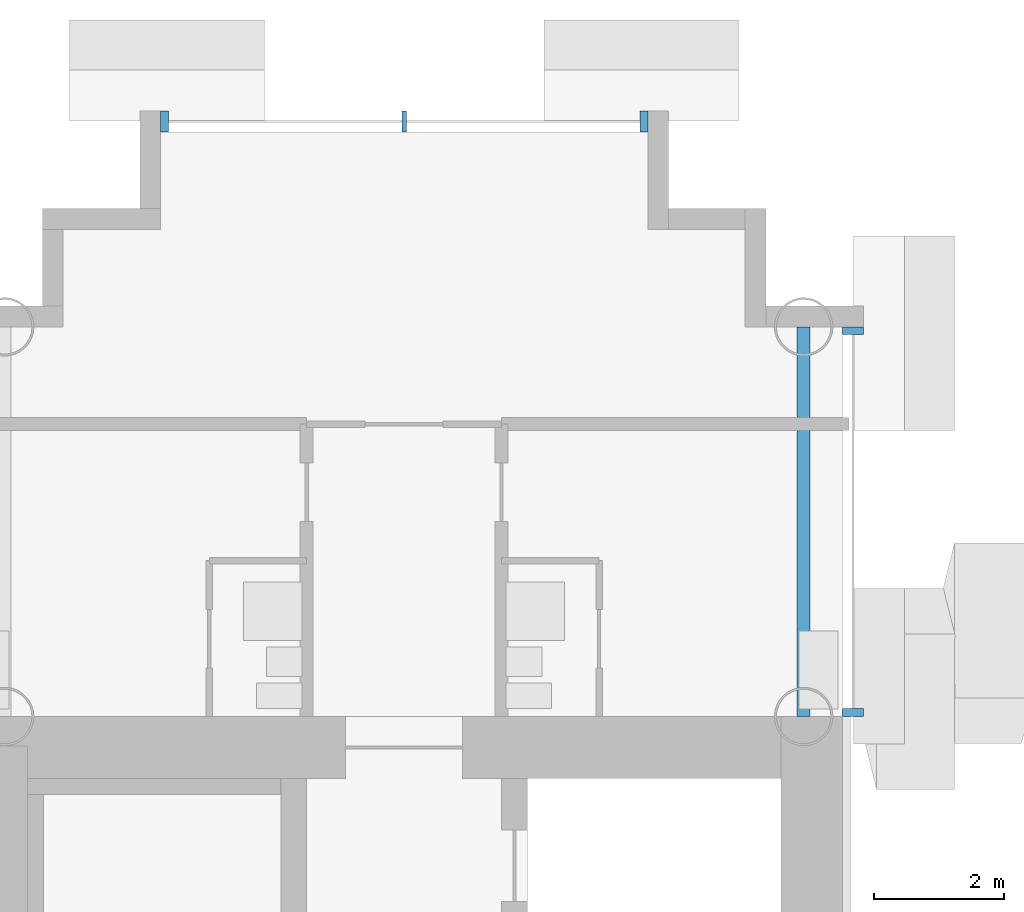
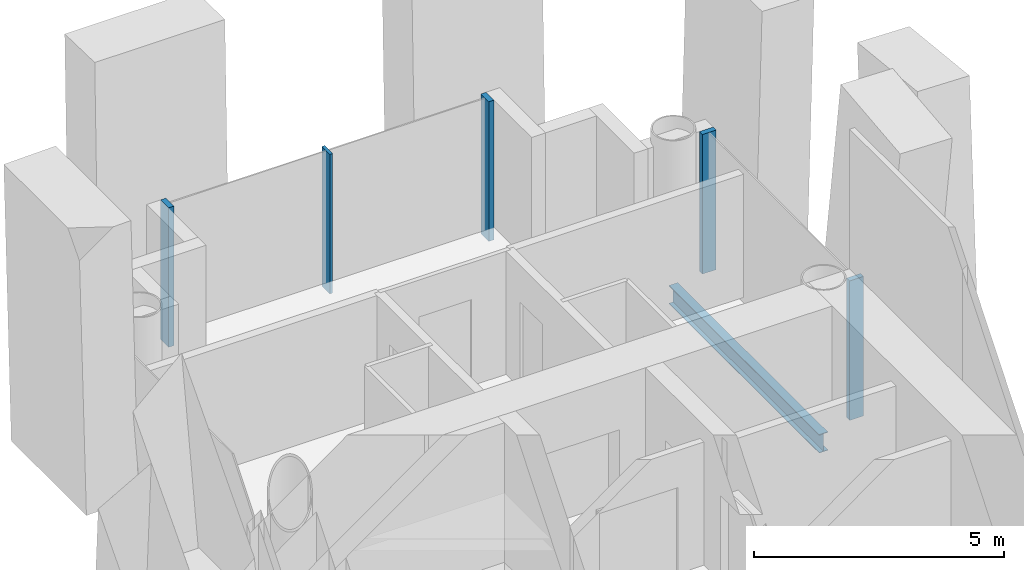
# One storey, part 6 of 20: 5 members, 1 beam, 2 elements without a shape of their own.
"""IFC4 building model written with IfcOpenShell, lengths in metres."""

from ifc_helpers import new_model, si_unit, direction, frame, origin, origin_2d, place, context, subcontext, project, spatial, rectangle, i_section, extrude, material, layer, layer_set, material_profile, profile_set, type_object, element, aggregate, save


model = new_model("IFC4")

# Units and contexts
model_context = context("Model", 3, precision=1e-05, world=origin(), true_north=direction((0.0, 1.0)))
body_context = subcontext(model_context, "Body", "Model", "MODEL_VIEW")
ifc_project = project(units=[si_unit("LENGTHUNIT", "METRE"), si_unit("AREAUNIT", "SQUARE_METRE"), si_unit("VOLUMEUNIT", "CUBIC_METRE"), si_unit("PLANEANGLEUNIT", "RADIAN"), si_unit("MASSUNIT", "GRAM", prefix="KILO")], contexts=[model_context])

# Site, building, storey
site_placement = place(None, origin())
site = spatial("IfcSite", under=ifc_project, at=site_placement, CompositionType="ELEMENT")
building_placement = place(site_placement, origin())
building = spatial("IfcBuilding", under=site, at=building_placement, Name="Ipe Terrace Towers", CompositionType="ELEMENT")
storey_placement = place(building_placement, frame((0.0, 0.0, 100.39990234375)))
storey = spatial("IfcBuildingStorey", under=building, at=storey_placement, Name="L27", CompositionType="ELEMENT", Elevation=100.39990234375)

# Beam
ifc_material_1 = material(Name="Steel S355", Category="steel")
ifc_material_profile_1 = material_profile(ifc_material_1, i_section(OverallWidth=0.199951171875, OverallDepth=0.449951171875, WebThickness=0.009033203125, FlangeThickness=0.013916015625, at=origin_2d()), Name="H-450x200x9x14")
ifc_profile_set_1 = profile_set([ifc_material_profile_1], Name="Steel S355")
beam_type = type_object("IfcBeamType", Name="H08 EDGE BEAM H-450x200x9x14", PredefinedType="BEAM", material=ifc_profile_set_1)
beam_placement = place(storey_placement, frame((42.14990234375, 15.75, -0.625), z_axis=(0.0, 1.0, 0.0), x_axis=(-1.0, 0.0, 0.0)))
element("IfcBeam", 1, at=beam_placement, inside=storey, type_object=beam_type, Name="Edge beam T2-EB-A01-A03", PredefinedType="BEAM", context=body_context, shape_type="SweptSolid", body=[
    extrude(i_section(OverallWidth=0.199951171875, OverallDepth=0.449951171875, WebThickness=0.009033203125, FlangeThickness=0.013916015625, at=origin_2d()), origin(), (0.0, 0.0, 1.0), 6.0),
])

# Curtain wall, members
ifc_material_2 = material(Name="Aluminium alloy 6063-T6", Category="aluminium")
ifc_layer = layer(ifc_material_2, 0.320068359375)
ifc_layer_set = layer_set([ifc_layer], Name="TOWER UNITISED CURTAIN WALL")
curtain_wall_type = type_object("IfcCurtainWallType", Name="TOWER UNITISED CURTAIN WALL", PredefinedType="NOTDEFINED", material=ifc_layer_set)
curtain_wall_1_placement = place(storey_placement, origin())
curtain_wall_1 = element("IfcCurtainWall", 2, at=curtain_wall_1_placement, inside=storey, type_object=curtain_wall_type, Name="T2-CW-L27-16b curtain wall", PredefinedType="NOTDEFINED")
ifc_material_3 = material(Name="Aluminium alloy 6063-T6", Category="aluminium")
ifc_material_profile_2 = material_profile(ifc_material_3, rectangle(XDim=0.320068359375, YDim=0.1201171875, at=origin_2d()), Name="TOWER UNITISED CORNER MULLION 320 x 120")
ifc_profile_set_2 = profile_set([ifc_material_profile_2], Name="Aluminium alloy 6063-T6")
member_type_1 = type_object("IfcMemberType", Name="TOWER UNITISED CORNER MULLION 320 x 120", PredefinedType="MULLION", material=ifc_profile_set_2)
member_1_placement = place(storey_placement, frame((42.909912109375, 15.81103515625, -0.2998046875), z_axis=(0.0, 0.0, 1.0), x_axis=(1.0, 0.0, 0.0)))
member_1 = element("IfcMember", 3, at=member_1_placement, type_object=member_type_1, Name="T2-CW-L27-16b mullion 1", PredefinedType="MULLION", context=body_context, shape_type="SweptSolid", body=[
    extrude(rectangle(XDim=0.320068359375, YDim=0.1201171875, at=origin_2d()), origin(), (0.0, 0.0, 1.0), 3.39990234375),
])
member_2_placement = place(storey_placement, frame((42.909912109375, 21.68994140625, -0.2998046875), z_axis=(0.0, 0.0, 1.0), x_axis=(1.0, 0.0, 0.0)))
member_2 = element("IfcMember", 4, at=member_2_placement, type_object=member_type_1, Name="T2-CW-L27-16b mullion 2", PredefinedType="MULLION", context=body_context, shape_type="SweptSolid", body=[
    extrude(rectangle(XDim=0.320068359375, YDim=0.1201171875, at=origin_2d()), origin(), (0.0, 0.0, 1.0), 3.39990234375),
])
aggregate(curtain_wall_1, [member_1, member_2])

curtain_wall_2_placement = place(storey_placement, origin())
curtain_wall_2 = element("IfcCurtainWall", 5, at=curtain_wall_2_placement, inside=storey, type_object=curtain_wall_type, Name="T2-CW-L27-21a curtain wall", PredefinedType="NOTDEFINED")
member_3_placement = place(storey_placement, frame((39.68994140625, 24.909912109375, -0.2998046875), z_axis=(0.0, 0.0, 1.0), x_axis=(0.0, 1.0, 0.0)))
member_3 = element("IfcMember", 6, at=member_3_placement, type_object=member_type_1, Name="T2-CW-L27-21a mullion 1", PredefinedType="MULLION", context=body_context, shape_type="SweptSolid", body=[
    extrude(rectangle(XDim=0.320068359375, YDim=0.1201171875, at=origin_2d()), origin(), (0.0, 0.0, 1.0), 3.39990234375),
])
member_4_placement = place(storey_placement, frame((32.31005859375, 24.909912109375, -0.2998046875), z_axis=(0.0, 0.0, 1.0), x_axis=(0.0, 1.0, 0.0)))
member_4 = element("IfcMember", 7, at=member_4_placement, type_object=member_type_1, Name="T2-CW-L27-21a mullion 3", PredefinedType="MULLION", context=body_context, shape_type="SweptSolid", body=[
    extrude(rectangle(XDim=0.320068359375, YDim=0.1201171875, at=origin_2d()), origin(), (0.0, 0.0, 1.0), 3.39990234375),
])
ifc_material_4 = material(Name="Aluminium alloy 6063-T6", Category="aluminium")
ifc_material_profile_3 = material_profile(ifc_material_4, rectangle(XDim=0.320068359375, YDim=0.06494140625, at=origin_2d()), Name="TOWER UNITISED MULLION 320 x 65")
ifc_profile_set_3 = profile_set([ifc_material_profile_3], Name="Aluminium alloy 6063-T6")
member_type_2 = type_object("IfcMemberType", Name="TOWER UNITISED MULLION 320 x 65", PredefinedType="MULLION", material=ifc_profile_set_3)
member_5_placement = place(storey_placement, frame((36.0, 24.909912109375, -0.2998046875), z_axis=(0.0, 0.0, 1.0), x_axis=(0.0, 1.0, 0.0)))
member_5 = element("IfcMember", 8, at=member_5_placement, type_object=member_type_2, Name="T2-CW-L27-21a mullion 2", PredefinedType="MULLION", context=body_context, shape_type="SweptSolid", body=[
    extrude(rectangle(XDim=0.320068359375, YDim=0.06494140625, at=origin_2d()), origin(), (0.0, 0.0, 1.0), 3.39990234375),
])
aggregate(curtain_wall_2, [member_3, member_5, member_4])

save(model, "model.ifc")
